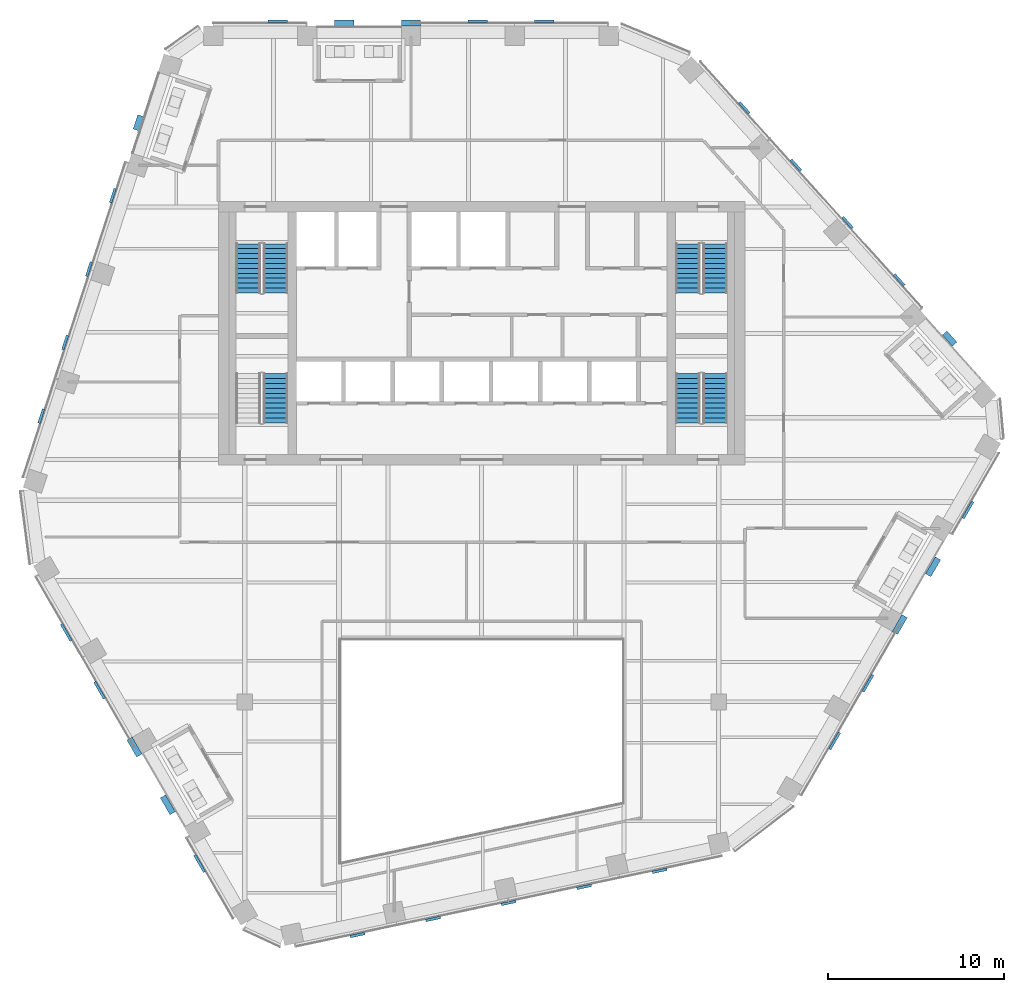
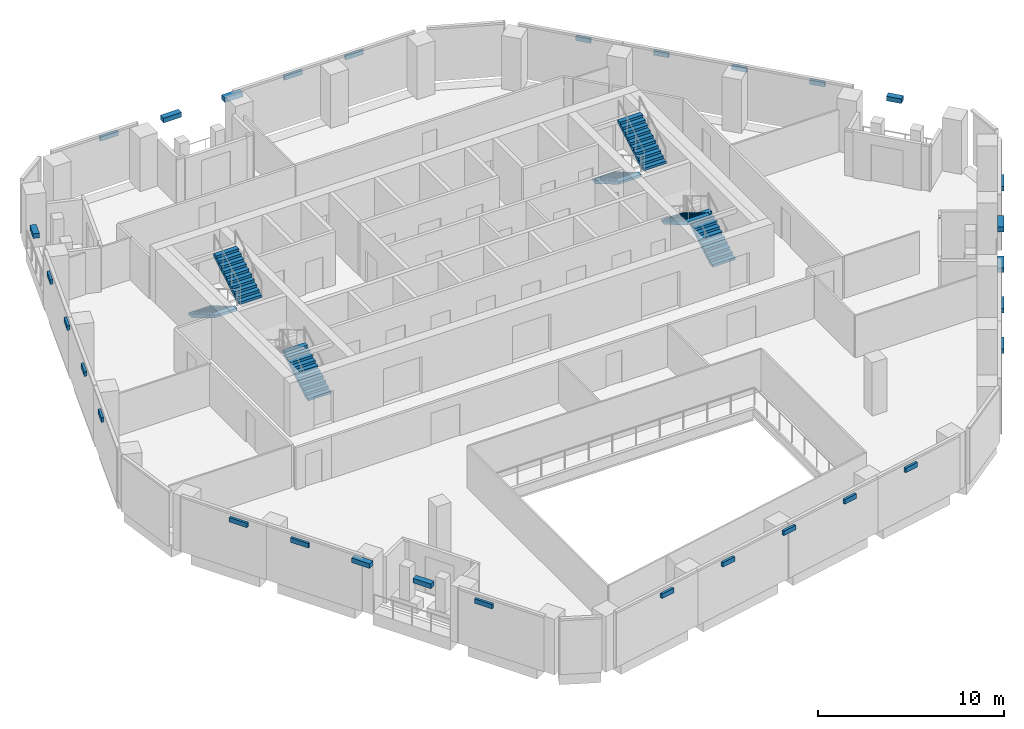
# One storey, part 19 of 25: 30 discrete accessories, 7 stair flights, 4 elements without a shape of their own.
"""IFC4 building model written with IfcOpenShell, lengths in metres."""

import ifcopenshell
import ifcopenshell.guid

model = None  # the IFC model being written
_history = None  # IfcOwnerHistory: only IFC2X3 demands one
_inside = {}  # id of a spatial element -> (the spatial element, [elements in it])
_under = {}  # id of a project, library or spatial element -> (it, [spatial elements below it])
_declared = {}  # id of a project -> (the project, [libraries it declares])
_typed = {}  # id of a type object -> (the type object, [elements of that type])
_made_of = {}  # id of a material, layer set ... -> (it, [elements and type objects made of it])


def new_model(schema):
    """Start an empty IFC model of exactly this schema.

    Asked for "IFC4X3", IfcOpenShell would pick the latest addendum, in which some entities
    have other attributes; the version numbers below select the first issue.
    IFC2X3 requires an IfcOwnerHistory on every rooted entity: one is made here for all.
    """
    global model, _history
    if schema == "IFC4X3":
        model = ifcopenshell.file(schema_version=(4, 3, 0, 0))
    else:
        model = ifcopenshell.file(schema=schema)
    _inside.clear()
    _under.clear()
    _declared.clear()
    _typed.clear()
    _made_of.clear()
    _history = None
    if model.schema == "IFC2X3":
        org = make("IfcOrganization", Name="unknown")
        user = make(
            "IfcPersonAndOrganization",
            ThePerson=make("IfcPerson", FamilyName="unknown"),
            TheOrganization=org,
        )
        app = make(
            "IfcApplication",
            ApplicationDeveloper=org,
            Version="unknown",
            ApplicationFullName="unknown",
            ApplicationIdentifier="unknown",
        )
        _history = make(
            "IfcOwnerHistory",
            OwningUser=user,
            OwningApplication=app,
            ChangeAction="ADDED",
            CreationDate=0,
        )
    return model


def make(cls, **values):
    """One entity of the class cls with the attributes given. An attribute that is None is left unset."""
    return model.create_entity(
        cls, **{name: value for name, value in values.items() if value is not None}
    )


def rooted(cls, **values):
    """An entity with a GlobalId (a new one), such as an element, a storey or a relation."""
    return make(cls, GlobalId=ifcopenshell.guid.new(), OwnerHistory=_history, **values)


def si_unit(unit_type, name, prefix=None):
    """IfcSIUnit, for example si_unit("LENGTHUNIT", "METRE", prefix="MILLI")."""
    return make("IfcSIUnit", UnitType=unit_type, Prefix=prefix, Name=name)


def assignment(units):
    """IfcUnitAssignment: the units of a project."""
    return None if units is None else make("IfcUnitAssignment", Units=units)


def point(xyz):
    """IfcCartesianPoint."""
    return None if xyz is None else make("IfcCartesianPoint", Coordinates=xyz)


def direction(xyz):
    """IfcDirection."""
    return None if xyz is None else make("IfcDirection", DirectionRatios=xyz)


def frame(location, z_axis=None, x_axis=None):
    """IfcAxis2Placement3D, a coordinate frame: its origin and axes. An axis left out is left unset."""
    return make(
        "IfcAxis2Placement3D",
        Location=point(location),
        Axis=direction(z_axis),
        RefDirection=direction(x_axis),
    )


def frame_2d(location, x_axis=None):
    """IfcAxis2Placement2D, a coordinate frame in the plane: its origin and x axis."""
    return make(
        "IfcAxis2Placement2D", Location=point(location), RefDirection=direction(x_axis)
    )


def origin():
    """The frame at (0, 0, 0) with its axes left unset."""
    return frame((0.0, 0.0, 0.0))


def origin_2d():
    """The frame at (0, 0) in the plane with its x axis left unset."""
    return frame_2d((0.0, 0.0))


def place(relative_to, where):
    """IfcLocalPlacement: puts the frame where relative to a parent placement (None: the world)."""
    return make(
        "IfcLocalPlacement", PlacementRelTo=relative_to, RelativePlacement=where
    )


def context(
    kind, dimensions, precision=None, world=None, true_north=None, identifier=None
):
    """IfcGeometricRepresentationContext, for example the 3D "Model" context."""
    return make(
        "IfcGeometricRepresentationContext",
        ContextIdentifier=identifier,
        ContextType=kind,
        CoordinateSpaceDimension=dimensions,
        Precision=precision,
        WorldCoordinateSystem=world,
        TrueNorth=true_north,
    )


def subcontext(parent, identifier, kind, view, scale=None):
    """IfcGeometricRepresentationSubContext, for example "Body" below "Model"."""
    return make(
        "IfcGeometricRepresentationSubContext",
        ContextIdentifier=identifier,
        ContextType=kind,
        ParentContext=parent,
        TargetScale=scale,
        TargetView=view,
    )


def project(units=None, contexts=None):
    """IfcProject with its units and contexts."""
    return rooted(
        "IfcProject",
        Name="project",
        RepresentationContexts=contexts,
        UnitsInContext=assignment(units),
    )


def spatial(cls, under=None, at=None, **own):
    """A site, building, storey or space (cls), placed at a placement, below another one or the project."""
    s = rooted(cls, ObjectPlacement=at, **own)
    if under is not None:
        _under.setdefault(under.id(), (under, []))[1].append(s)
    return s


def polyline(points):
    """IfcPolyline through the points."""
    return make("IfcPolyline", Points=[point(p) for p in points])


def profile(cls, at=None, kind="AREA", **sizes):
    """A parametric profile (cls). Its sizes go by their IFC names, for example OverallWidth=200.0."""
    return make(cls, ProfileType=kind, Position=at, **sizes)


def rectangle(**sizes):
    """IfcRectangleProfileDef."""
    return profile("IfcRectangleProfileDef", **sizes)


def outline(outer, holes=None, kind="AREA"):
    """IfcArbitraryClosedProfileDef: a profile drawn as a closed curve; with holes, ...WithVoids."""
    if holes is None:
        return make("IfcArbitraryClosedProfileDef", ProfileType=kind, OuterCurve=outer)
    return make(
        "IfcArbitraryProfileDefWithVoids",
        ProfileType=kind,
        OuterCurve=outer,
        InnerCurves=holes,
    )


def extrude(swept, where, along, depth):
    """IfcExtrudedAreaSolid: the profile swept, set in the frame where, extruded along a direction by depth."""
    return make(
        "IfcExtrudedAreaSolid",
        SweptArea=swept,
        Position=where,
        ExtrudedDirection=direction(along),
        Depth=depth,
    )


def shape(context_of_items, identifier, shape_type, items):
    """IfcShapeRepresentation: the items that make up one representation, for example the "Body"."""
    return make(
        "IfcShapeRepresentation",
        ContextOfItems=context_of_items,
        RepresentationIdentifier=identifier,
        RepresentationType=shape_type,
        Items=items,
    )


def material(Name=None, Category=None):
    """IfcMaterial."""
    return make("IfcMaterial", Name=Name, Category=Category)


def made_of(thing, what):
    """Note that an element or type object is made of a material, layer set ...; save() writes the relation."""
    if what is not None:
        _made_of.setdefault(what.id(), (what, []))[1].append(thing)
    return thing


def type_object(cls, material=None, **own):
    """A type object (cls), such as IfcWallType, which elements share."""
    return made_of(rooted(cls, **own), material)


def element(
    cls,
    number,
    at=None,
    inside=None,
    cuts=None,
    type_object=None,
    material=None,
    context=None,
    identifier="Body",
    shape_type=None,
    held_by="IfcProductDefinitionShape",
    body=None,
    shapes=None,
    **own,
):
    """One element of the class cls, such as IfcWall. Its Tag is "e" and its number.

    at: its placement. inside: the storey or other place that contains it. cuts: it is an
    opening in that element (IfcRelVoidsElement). A single representation is given by context,
    identifier, shape_type and body (its items); several are given by shapes. held_by: the class
    of the entity that holds the representations. save() writes the other relations.
    """
    e = rooted(cls, Tag="e%d" % number, ObjectPlacement=at, **own)
    if body is not None:
        shapes = [shape(context, identifier, shape_type, body)]
    if shapes is not None:
        e.Representation = make(held_by, Representations=shapes)
    if inside is not None:
        _inside.setdefault(inside.id(), (inside, []))[1].append(e)
    if cuts is not None:
        rooted(
            "IfcRelVoidsElement", RelatingBuildingElement=cuts, RelatedOpeningElement=e
        )
    if type_object is not None:
        _typed.setdefault(type_object.id(), (type_object, []))[1].append(e)
    return made_of(e, material)


def aggregate(whole, parts):
    """IfcRelAggregates: a whole, such as a stair, and the parts it consists of."""
    return rooted("IfcRelAggregates", RelatingObject=whole, RelatedObjects=parts)


def save(model, path):
    """Write the relations noted so far, then the file.

    IfcRelAggregates (storeys below a building ...), IfcRelContainedInSpatialStructure (elements
    in a storey), IfcRelDefinesByType, IfcRelAssociatesMaterial and IfcRelDeclares: one each for
    every whole, place, type object, material and project.
    """
    for whole, parts in _under.values():
        aggregate(whole, parts)
    for where, things in _inside.values():
        rooted(
            "IfcRelContainedInSpatialStructure",
            RelatedElements=things,
            RelatingStructure=where,
        )
    for kind, things in _typed.values():
        rooted("IfcRelDefinesByType", RelatedObjects=things, RelatingType=kind)
    for what, things in _made_of.values():
        rooted("IfcRelAssociatesMaterial", RelatedObjects=things, RelatingMaterial=what)
    for by, libraries in _declared.values():
        rooted("IfcRelDeclares", RelatingContext=by, RelatedDefinitions=libraries)
    model.write(path)


model = new_model("IFC4")

# Units and contexts
model_context = context("Model", 3, precision=1e-05, world=origin(), true_north=direction((0.0, 1.0)))
body_context = subcontext(model_context, "Body", "Model", "MODEL_VIEW")
ifc_project = project(units=[si_unit("LENGTHUNIT", "METRE"), si_unit("AREAUNIT", "SQUARE_METRE"), si_unit("VOLUMEUNIT", "CUBIC_METRE"), si_unit("PLANEANGLEUNIT", "RADIAN"), si_unit("MASSUNIT", "GRAM", prefix="KILO")], contexts=[model_context])

# Site, building, storey
site_placement = place(None, origin())
site = spatial("IfcSite", under=ifc_project, at=site_placement, CompositionType="ELEMENT")
building_placement = place(site_placement, origin())
building = spatial("IfcBuilding", under=site, at=building_placement, Name="Isthmus Gate Tower", CompositionType="ELEMENT")
storey_placement = place(building_placement, frame((0.0, 0.0, 249.14990234375)))
storey = spatial("IfcBuildingStorey", under=building, at=storey_placement, Name="L63", CompositionType="ELEMENT", Elevation=249.14990234375)

# Stair, stair flights
ifc_material_1 = material(Name="Concrete f'c 40 MPa", Category="concrete")
stair_type = type_object("IfcStairType", Name="CORE STAIR 22 RISERS", PredefinedType="HALF_TURN_STAIR", material=ifc_material_1)
stair_1_placement = place(storey_placement, origin())
stair_1 = element("IfcStair", 1, at=stair_1_placement, inside=storey, type_object=stair_type, Name="L63 Exit Stair 1", PredefinedType="HALF_TURN_STAIR")
ifc_material_2 = material(Name="Concrete f'c 40 MPa", Category="concrete")
stair_flight_type = type_object("IfcStairFlightType", Name="STAIR FLIGHT RC 1400", PredefinedType="STRAIGHT", material=ifc_material_2)
stair_flight_1_placement = place(storey_placement, frame((-13.300048828125, 12.60009765625, 0.0), z_axis=(0.0, 0.0, 1.0), x_axis=(0.0, -1.0, 0.0)))
stair_flight_1 = element("IfcStairFlight", 2, at=stair_flight_1_placement, type_object=stair_flight_type, Name="ST1 flight 1", NumberOfRisers=11, NumberOfTreads=10, PredefinedType="STRAIGHT", RiserHeight=0.165909091, TreadLength=0.28, context=body_context, shape_type="SweptSolid", body=[
    extrude(outline(polyline([(0.0, 0.0), (0.0, 0.166015625), (0.280029296875, 0.166015625), (0.280029296875, 0.331787109375), (0.56005859375, 0.331787109375), (0.56005859375, 0.497802734375), (0.840087890625, 0.497802734375), (0.840087890625, 0.66357421875), (1.1201171875, 0.66357421875), (1.1201171875, 0.82958984375), (1.39990234375, 0.82958984375), (1.39990234375, 0.995361328125), (1.679931640625, 0.995361328125), (1.679931640625, 1.161376953125), (1.9599609375, 1.161376953125), (1.9599609375, 1.327392578125), (2.239990234375, 1.327392578125), (2.239990234375, 1.4931640625), (2.52001953125, 1.4931640625), (2.52001953125, 1.6591796875), (2.800048828125, 1.6591796875), (2.800048828125, 1.824951171875), (2.800048828125, 1.48486328125), (0.2939453125, 0.0), (0.0, 0.0)])), frame((0.0, 0.699951171875, 0.0), z_axis=(0.0, -1.0, 0.0), x_axis=(1.0, 0.0, 0.0)), (0.0, 0.0, 1.0), 1.39990234375),
])
stair_flight_2_placement = place(storey_placement, frame((-11.75, 9.800048828125, 1.8251953125), z_axis=(0.0, 0.0, 1.0), x_axis=(0.0, 1.0, 0.0)))
stair_flight_2 = element("IfcStairFlight", 3, at=stair_flight_2_placement, type_object=stair_flight_type, Name="ST1 flight 2", NumberOfRisers=11, NumberOfTreads=10, PredefinedType="STRAIGHT", RiserHeight=0.165909091, TreadLength=0.28, context=body_context, shape_type="SweptSolid", body=[
    extrude(outline(polyline([(0.0, 0.0), (0.0, 0.166015625), (0.280029296875, 0.166015625), (0.280029296875, 0.331787109375), (0.56005859375, 0.331787109375), (0.56005859375, 0.497802734375), (0.840087890625, 0.497802734375), (0.840087890625, 0.66357421875), (1.1201171875, 0.66357421875), (1.1201171875, 0.82958984375), (1.39990234375, 0.82958984375), (1.39990234375, 0.995361328125), (1.679931640625, 0.995361328125), (1.679931640625, 1.161376953125), (1.9599609375, 1.161376953125), (1.9599609375, 1.327392578125), (2.239990234375, 1.327392578125), (2.239990234375, 1.4931640625), (2.52001953125, 1.4931640625), (2.52001953125, 1.6591796875), (2.800048828125, 1.6591796875), (2.800048828125, 1.824951171875), (2.800048828125, 1.48486328125), (0.2939453125, 0.0), (0.0, 0.0)])), frame((0.0, 0.699951171875, 0.0), z_axis=(0.0, -1.0, 0.0), x_axis=(1.0, 0.0, 0.0)), (0.0, 0.0, 1.0), 1.39990234375),
])
aggregate(stair_1, [stair_flight_1, stair_flight_2])

stair_2_placement = place(storey_placement, origin())
stair_2 = element("IfcStair", 4, at=stair_2_placement, inside=storey, type_object=stair_type, Name="L63 Exit Stair 2", PredefinedType="HALF_TURN_STAIR")
stair_flight_3_placement = place(storey_placement, frame((11.75, 12.60009765625, 0.0), z_axis=(0.0, 0.0, 1.0), x_axis=(0.0, -1.0, 0.0)))
stair_flight_3 = element("IfcStairFlight", 5, at=stair_flight_3_placement, type_object=stair_flight_type, Name="ST2 flight 1", NumberOfRisers=11, NumberOfTreads=10, PredefinedType="STRAIGHT", RiserHeight=0.165909091, TreadLength=0.28, context=body_context, shape_type="SweptSolid", body=[
    extrude(outline(polyline([(0.0, 0.0), (0.0, 0.166015625), (0.280029296875, 0.166015625), (0.280029296875, 0.331787109375), (0.56005859375, 0.331787109375), (0.56005859375, 0.497802734375), (0.840087890625, 0.497802734375), (0.840087890625, 0.66357421875), (1.1201171875, 0.66357421875), (1.1201171875, 0.82958984375), (1.39990234375, 0.82958984375), (1.39990234375, 0.995361328125), (1.679931640625, 0.995361328125), (1.679931640625, 1.161376953125), (1.9599609375, 1.161376953125), (1.9599609375, 1.327392578125), (2.239990234375, 1.327392578125), (2.239990234375, 1.4931640625), (2.52001953125, 1.4931640625), (2.52001953125, 1.6591796875), (2.800048828125, 1.6591796875), (2.800048828125, 1.824951171875), (2.800048828125, 1.48486328125), (0.2939453125, 0.0), (0.0, 0.0)])), frame((0.0, 0.699951171875, 0.0), z_axis=(0.0, -1.0, 0.0), x_axis=(1.0, 0.0, 0.0)), (0.0, 0.0, 1.0), 1.39990234375),
])
stair_flight_4_placement = place(storey_placement, frame((13.300048828125, 9.800048828125, 1.8251953125), z_axis=(0.0, 0.0, 1.0), x_axis=(0.0, 1.0, 0.0)))
stair_flight_4 = element("IfcStairFlight", 6, at=stair_flight_4_placement, type_object=stair_flight_type, Name="ST2 flight 2", NumberOfRisers=11, NumberOfTreads=10, PredefinedType="STRAIGHT", RiserHeight=0.165909091, TreadLength=0.28, context=body_context, shape_type="SweptSolid", body=[
    extrude(outline(polyline([(0.0, 0.0), (0.0, 0.166015625), (0.280029296875, 0.166015625), (0.280029296875, 0.331787109375), (0.56005859375, 0.331787109375), (0.56005859375, 0.497802734375), (0.840087890625, 0.497802734375), (0.840087890625, 0.66357421875), (1.1201171875, 0.66357421875), (1.1201171875, 0.82958984375), (1.39990234375, 0.82958984375), (1.39990234375, 0.995361328125), (1.679931640625, 0.995361328125), (1.679931640625, 1.161376953125), (1.9599609375, 1.161376953125), (1.9599609375, 1.327392578125), (2.239990234375, 1.327392578125), (2.239990234375, 1.4931640625), (2.52001953125, 1.4931640625), (2.52001953125, 1.6591796875), (2.800048828125, 1.6591796875), (2.800048828125, 1.824951171875), (2.800048828125, 1.48486328125), (0.2939453125, 0.0), (0.0, 0.0)])), frame((0.0, 0.699951171875, 0.0), z_axis=(0.0, -1.0, 0.0), x_axis=(1.0, 0.0, 0.0)), (0.0, 0.0, 1.0), 1.39990234375),
])
aggregate(stair_2, [stair_flight_3, stair_flight_4])

# Stair, stair flight
stair_3_placement = place(storey_placement, origin())
stair_3 = element("IfcStair", 7, at=stair_3_placement, inside=storey, type_object=stair_type, Name="L63 Exit Stair 7", PredefinedType="HALF_TURN_STAIR")
stair_flight_5_placement = place(storey_placement, frame((-11.75, 2.39990234375, 0.0), z_axis=(0.0, 0.0, 1.0), x_axis=(0.0, 1.0, 0.0)))
stair_flight_5 = element("IfcStairFlight", 8, at=stair_flight_5_placement, type_object=stair_flight_type, Name="ST7 flight 1", NumberOfRisers=11, NumberOfTreads=10, PredefinedType="STRAIGHT", RiserHeight=0.165909091, TreadLength=0.28, context=body_context, shape_type="SweptSolid", body=[
    extrude(outline(polyline([(0.0, 0.0), (0.0, 0.166015625), (0.280029296875, 0.166015625), (0.280029296875, 0.331787109375), (0.56005859375, 0.331787109375), (0.56005859375, 0.497802734375), (0.840087890625, 0.497802734375), (0.840087890625, 0.66357421875), (1.1201171875, 0.66357421875), (1.1201171875, 0.82958984375), (1.39990234375, 0.82958984375), (1.39990234375, 0.995361328125), (1.679931640625, 0.995361328125), (1.679931640625, 1.161376953125), (1.9599609375, 1.161376953125), (1.9599609375, 1.327392578125), (2.239990234375, 1.327392578125), (2.239990234375, 1.4931640625), (2.52001953125, 1.4931640625), (2.52001953125, 1.6591796875), (2.800048828125, 1.6591796875), (2.800048828125, 1.824951171875), (2.800048828125, 1.48486328125), (0.2939453125, 0.0), (0.0, 0.0)])), frame((0.0, 0.699951171875, 0.0), z_axis=(0.0, -1.0, 0.0), x_axis=(1.0, 0.0, 0.0)), (0.0, 0.0, 1.0), 1.39990234375),
])
aggregate(stair_3, [stair_flight_5])

# Stair, stair flights
stair_4_placement = place(storey_placement, origin())
stair_4 = element("IfcStair", 9, at=stair_4_placement, inside=storey, type_object=stair_type, Name="L63 Exit Stair 8", PredefinedType="HALF_TURN_STAIR")
stair_flight_6_placement = place(storey_placement, frame((13.300048828125, 2.39990234375, 0.0), z_axis=(0.0, 0.0, 1.0), x_axis=(0.0, 1.0, 0.0)))
stair_flight_6 = element("IfcStairFlight", 10, at=stair_flight_6_placement, type_object=stair_flight_type, Name="ST8 flight 1", NumberOfRisers=11, NumberOfTreads=10, PredefinedType="STRAIGHT", RiserHeight=0.165909091, TreadLength=0.28, context=body_context, shape_type="SweptSolid", body=[
    extrude(outline(polyline([(0.0, 0.0), (0.0, 0.166015625), (0.280029296875, 0.166015625), (0.280029296875, 0.331787109375), (0.56005859375, 0.331787109375), (0.56005859375, 0.497802734375), (0.840087890625, 0.497802734375), (0.840087890625, 0.66357421875), (1.1201171875, 0.66357421875), (1.1201171875, 0.82958984375), (1.39990234375, 0.82958984375), (1.39990234375, 0.995361328125), (1.679931640625, 0.995361328125), (1.679931640625, 1.161376953125), (1.9599609375, 1.161376953125), (1.9599609375, 1.327392578125), (2.239990234375, 1.327392578125), (2.239990234375, 1.4931640625), (2.52001953125, 1.4931640625), (2.52001953125, 1.6591796875), (2.800048828125, 1.6591796875), (2.800048828125, 1.824951171875), (2.800048828125, 1.48486328125), (0.2939453125, 0.0), (0.0, 0.0)])), frame((0.0, 0.699951171875, 0.0), z_axis=(0.0, -1.0, 0.0), x_axis=(1.0, 0.0, 0.0)), (0.0, 0.0, 1.0), 1.39990234375),
])
stair_flight_7_placement = place(storey_placement, frame((11.75, 5.199951171875, 1.8251953125), z_axis=(0.0, 0.0, 1.0), x_axis=(0.0, -1.0, 0.0)))
stair_flight_7 = element("IfcStairFlight", 11, at=stair_flight_7_placement, type_object=stair_flight_type, Name="ST8 flight 2", NumberOfRisers=11, NumberOfTreads=10, PredefinedType="STRAIGHT", RiserHeight=0.165909091, TreadLength=0.28, context=body_context, shape_type="SweptSolid", body=[
    extrude(outline(polyline([(0.0, 0.0), (0.0, 0.166015625), (0.280029296875, 0.166015625), (0.280029296875, 0.331787109375), (0.56005859375, 0.331787109375), (0.56005859375, 0.497802734375), (0.840087890625, 0.497802734375), (0.840087890625, 0.66357421875), (1.1201171875, 0.66357421875), (1.1201171875, 0.82958984375), (1.39990234375, 0.82958984375), (1.39990234375, 0.995361328125), (1.679931640625, 0.995361328125), (1.679931640625, 1.161376953125), (1.9599609375, 1.161376953125), (1.9599609375, 1.327392578125), (2.239990234375, 1.327392578125), (2.239990234375, 1.4931640625), (2.52001953125, 1.4931640625), (2.52001953125, 1.6591796875), (2.800048828125, 1.6591796875), (2.800048828125, 1.824951171875), (2.800048828125, 1.48486328125), (0.2939453125, 0.0), (0.0, 0.0)])), frame((0.0, 0.699951171875, 0.0), z_axis=(0.0, -1.0, 0.0), x_axis=(1.0, 0.0, 0.0)), (0.0, 0.0, 1.0), 1.39990234375),
])
aggregate(stair_4, [stair_flight_6, stair_flight_7])

# Discrete accessories
ifc_material_3 = material(Name="Structural steel ASTM A572 Gr 50, white paint system", Category="steel")
discrete_accessory_type_1 = type_object("IfcDiscreteAccessoryType", Name="FIN BRACKET 1109 X 150 X 300", PredefinedType="BRACKET", material=ifc_material_3)
for number, where, z_axis, x_axis, name in (
    (12, (3.56982421875, 25.27490234375, 3.10009765625), (0.0, 0.0, 1.0), (0.0, 1.0, 0.0), "FIN BRACKET"),
    (13, (-0.22998046875, 25.27490234375, 3.10009765625), (0.0, 0.0, 1.0), (0.0, 1.0, 0.0), "FIN BRACKET"),
    (14, (-11.630126953125, 25.27490234375, 3.10009765625), (0.0, 0.0, 1.0), (0.0, 1.0, 0.0), "FIN BRACKET"),
    (15, (-23.673828125, -9.5458984375, 3.10009765625), (0.0, 0.0, 1.0), (-0.866025403784, -0.5, 0.0), "FIN BRACKET"),
    (16, (-21.773681640625, -12.836669921875, 3.10009765625), (0.0, 0.0, 1.0), (-0.866025403784, -0.5, 0.0), "FIN BRACKET"),
    (17, (-16.07373046875, -22.70947265625, 3.10009765625), (0.0, 0.0, 1.0), (-0.866025403784, -0.5, 0.0), "FIN BRACKET"),
    (18, (20.103759765625, -15.729248046875, 3.10009765625), (0.0, 0.0, 1.0), (0.866025403784, -0.5, 0.0), "FIN BRACKET"),
    (19, (22.00390625, -12.438232421875, 3.10009765625), (0.0, 0.0, 1.0), (0.866025403784, -0.5, 0.0), "FIN BRACKET"),
    (20, (27.703857421875, -2.5654296875, 3.10009765625), (0.0, 0.0, 1.0), (0.866025403784, -0.5, 0.0), "FIN BRACKET"),
):
    element("IfcDiscreteAccessory", number, at=place(storey_placement, frame(where, z_axis=z_axis, x_axis=x_axis)), inside=storey, type_object=discrete_accessory_type_1, Name=name, PredefinedType="BRACKET", context=body_context, shape_type="SweptSolid", body=[
        extrude(rectangle(XDim=0.14990234375, YDim=1.1083984375, at=origin_2d()), origin(), (0.0, 0.0, 1.0), 0.300048828125),
    ])
ifc_material_4 = material(Name="Structural steel ASTM A572 Gr 50, white paint system", Category="steel")
discrete_accessory_type_2 = type_object("IfcDiscreteAccessoryType", Name="FIN BRACKET 1109 X 350 X 300", PredefinedType="BRACKET", material=ifc_material_4)
for number, where, z_axis, x_axis, name in (
    (21, (-4.030029296875, 25.175048828125, 3.10009765625), (0.0, 0.0, 1.0), (0.0, 1.0, 0.0), "FIN BRACKET"),
    (22, (-7.830078125, 25.175048828125, 3.10009765625), (0.0, 0.0, 1.0), (0.0, 1.0, 0.0), "FIN BRACKET"),
    (23, (-19.787109375, -16.07763671875, 3.10009765625), (0.0, 0.0, 1.0), (-0.866025403784, -0.5, 0.0), "FIN BRACKET"),
    (24, (-17.88720703125, -19.36865234375, 3.10009765625), (0.0, 0.0, 1.0), (-0.866025403784, -0.5, 0.0), "FIN BRACKET"),
    (25, (23.817138671875, -9.097412109375, 3.10009765625), (0.0, 0.0, 1.0), (0.866025403784, -0.5, 0.0), "FIN BRACKET"),
    (26, (25.71728515625, -5.806396484375, 3.10009765625), (0.0, 0.0, 1.0), (0.866025403784, -0.5, 0.0), "FIN BRACKET"),
):
    element("IfcDiscreteAccessory", number, at=place(storey_placement, frame(where, z_axis=z_axis, x_axis=x_axis)), inside=storey, type_object=discrete_accessory_type_2, Name=name, PredefinedType="BRACKET", context=body_context, shape_type="SweptSolid", body=[
        extrude(rectangle(XDim=0.35009765625, YDim=1.1083984375, at=origin_2d()), origin(), (0.0, 0.0, 1.0), 0.300048828125),
    ])
ifc_material_5 = material(Name="Structural steel ASTM A572 Gr 50, white paint system", Category="steel")
discrete_accessory_type_3 = type_object("IfcDiscreteAccessoryType", Name="FIN BRACKET 855 X 150 X 300", PredefinedType="BRACKET", material=ifc_material_5)
for number, where, z_axis, x_axis, name in (
    (27, (-21.018310546875, 15.336181640625, 3.10009765625), (0.0, 0.0, 1.0), (-0.951056516295, 0.309016994375, 0.0), "FIN BRACKET"),
    (28, (-22.3779296875, 11.151611328125, 3.10009765625), (0.0, 0.0, 1.0), (-0.951056516295, 0.309016994375, 0.0), "FIN BRACKET"),
    (29, (-23.737548828125, 6.967041015625, 3.10009765625), (0.0, 0.0, 1.0), (-0.951056516295, 0.309016994375, 0.0), "FIN BRACKET"),
    (30, (-25.09716796875, 2.7822265625, 3.10009765625), (0.0, 0.0, 1.0), (-0.951056516295, 0.309016994375, 0.0), "FIN BRACKET"),
    (31, (-7.076416015625, -26.78515625, 3.10009765625), (0.0, 0.0, 1.0), (0.207911690818, -0.978147600734, 0.0), "FIN BRACKET"),
    (32, (-2.7724609375, -25.870361328125, 3.10009765625), (0.0, 0.0, 1.0), (0.207911690818, -0.978147600734, 0.0), "FIN BRACKET"),
    (33, (1.53125, -24.95556640625, 3.10009765625), (0.0, 0.0, 1.0), (0.207911690818, -0.978147600734, 0.0), "FIN BRACKET"),
    (34, (5.835205078125, -24.040771484375, 3.10009765625), (0.0, 0.0, 1.0), (0.207911690818, -0.978147600734, 0.0), "FIN BRACKET"),
    (35, (10.13916015625, -23.1259765625, 3.10009765625), (0.0, 0.0, 1.0), (0.207911690818, -0.978147600734, 0.0), "FIN BRACKET"),
    (36, (23.790771484375, 10.5341796875, 3.10009765625), (0.0, 0.0, 1.0), (0.743144825477, 0.669130606359, 0.0), "FIN BRACKET"),
    (37, (20.846435546875, 13.803955078125, 3.10009765625), (0.0, 0.0, 1.0), (0.743144825477, 0.669130606359, 0.0), "FIN BRACKET"),
    (38, (17.90234375, 17.07373046875, 3.10009765625), (0.0, 0.0, 1.0), (0.743144825477, 0.669130606359, 0.0), "FIN BRACKET"),
    (39, (14.958251953125, 20.34375, 3.10009765625), (0.0, 0.0, 1.0), (0.743144825477, 0.669130606359, 0.0), "FIN BRACKET"),
):
    element("IfcDiscreteAccessory", number, at=place(storey_placement, frame(where, z_axis=z_axis, x_axis=x_axis)), inside=storey, type_object=discrete_accessory_type_3, Name=name, PredefinedType="BRACKET", context=body_context, shape_type="SweptSolid", body=[
        extrude(rectangle(XDim=0.14990234375, YDim=0.854736328125, at=origin_2d()), origin(), (0.0, 0.0, 1.0), 0.300048828125),
    ])
ifc_material_6 = material(Name="Structural steel ASTM A572 Gr 50, white paint system", Category="steel")
discrete_accessory_type_4 = type_object("IfcDiscreteAccessoryType", Name="FIN BRACKET 855 X 350 X 300", PredefinedType="BRACKET", material=ifc_material_6)
for number, where, z_axis, x_axis, name in (
    (40, (-19.5634765625, 19.489990234375, 3.10009765625), (0.0, 0.0, 1.0), (-0.951056516295, 0.309016994375, 0.0), "FIN BRACKET"),
    (41, (26.66064453125, 7.197509765625, 3.10009765625), (0.0, 0.0, 1.0), (0.743144825477, 0.669130606359, 0.0), "FIN BRACKET"),
):
    element("IfcDiscreteAccessory", number, at=place(storey_placement, frame(where, z_axis=z_axis, x_axis=x_axis)), inside=storey, type_object=discrete_accessory_type_4, Name=name, PredefinedType="BRACKET", context=body_context, shape_type="SweptSolid", body=[
        extrude(rectangle(XDim=0.35009765625, YDim=0.854736328125, at=origin_2d()), origin(), (0.0, 0.0, 1.0), 0.300048828125),
    ])

save(model, "model.ifc")
